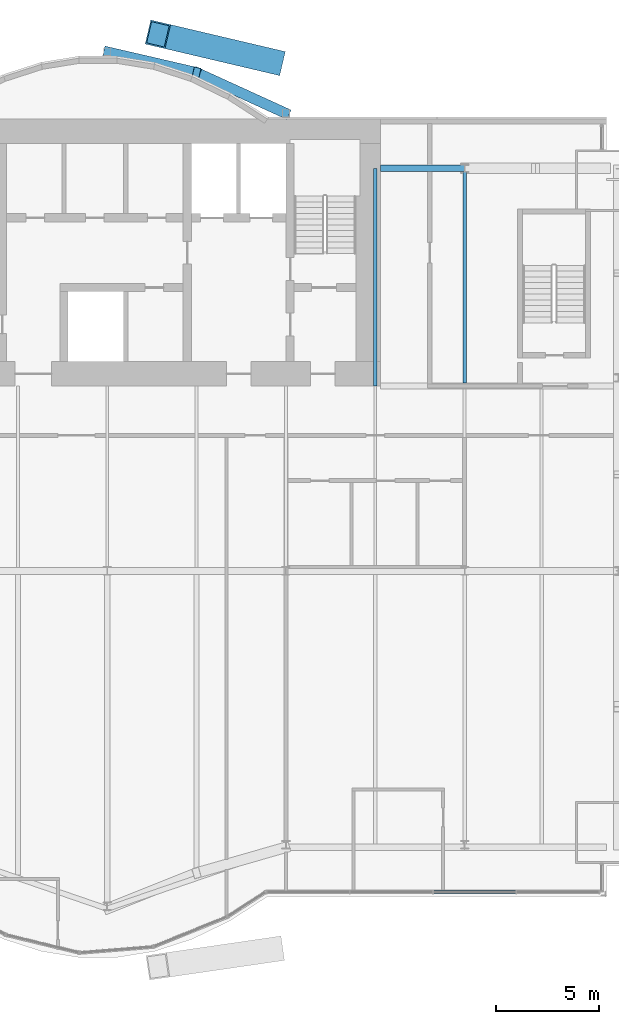
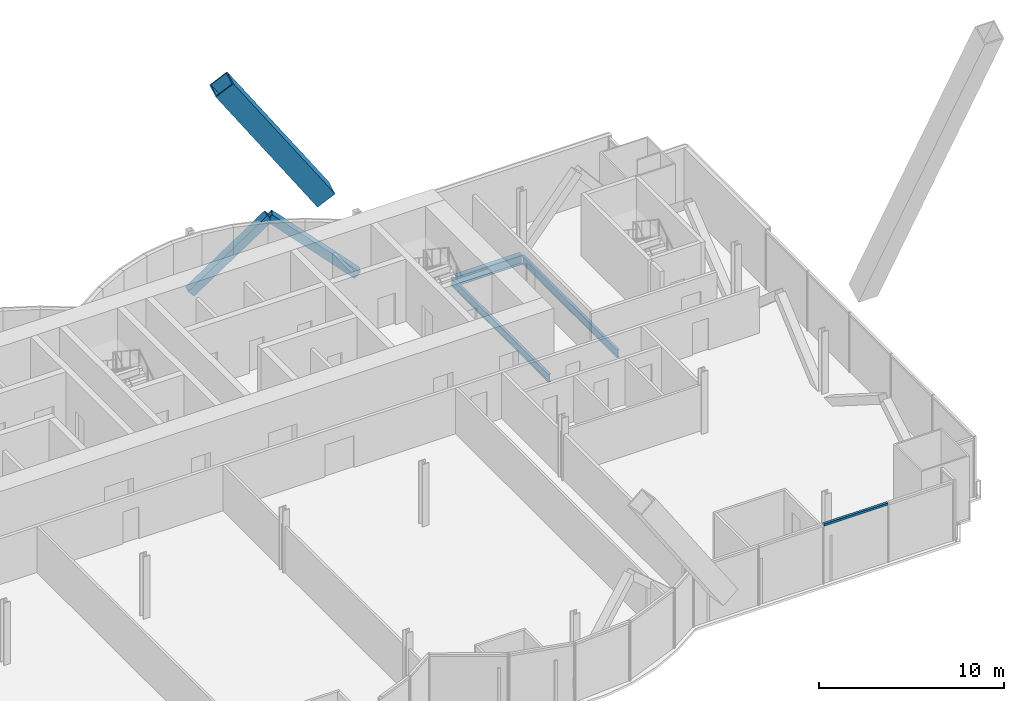
# One storey, part 12 of 23: 4 members, 3 beams, 1 element without a shape of its own.
"""IFC4 building model written with IfcOpenShell, lengths in metres."""

from ifc_helpers import new_model, si_unit, direction, frame, origin, origin_2d, place, context, subcontext, project, spatial, rectangle, hollow_rectangle, i_section, extrude, material, material_profile, profile_set, type_object, element, aggregate, save


model = new_model("IFC4")

# Units and contexts
model_context = context("Model", 3, precision=1e-05, world=origin(), true_north=direction((0.0, 1.0)))
body_context = subcontext(model_context, "Body", "Model", "MODEL_VIEW")
ifc_project = project(units=[si_unit("LENGTHUNIT", "METRE"), si_unit("AREAUNIT", "SQUARE_METRE"), si_unit("VOLUMEUNIT", "CUBIC_METRE"), si_unit("PLANEANGLEUNIT", "RADIAN"), si_unit("MASSUNIT", "GRAM", prefix="KILO")], contexts=[model_context])

# Site, building, storey
site_placement = place(None, origin())
site = spatial("IfcSite", under=ifc_project, at=site_placement, CompositionType="ELEMENT")
building_placement = place(site_placement, origin())
building = spatial("IfcBuilding", under=site, at=building_placement, Name="Bicima Exchange Tower", CompositionType="ELEMENT")
storey_placement = place(building_placement, frame((0.0, 0.0, 110.39990234375)))
storey = spatial("IfcBuildingStorey", under=building, at=storey_placement, Name="L23", CompositionType="ELEMENT", Elevation=110.39990234375)

# Member
ifc_material_1 = material(Name="Steel ASTM A572 Gr 50", Category="steel")
ifc_material_profile_1 = material_profile(ifc_material_1, hollow_rectangle(XDim=1.199951171875, YDim=1.199951171875, WallThickness=0.070068359375, at=origin_2d()))
ifc_profile_set_1 = profile_set([ifc_material_profile_1], Name="Steel ASTM A572 Gr 50")
member_type_1 = type_object("IfcMemberType", Name="Exo mega brace BOX 1200x1200x70", PredefinedType="BRACE", material=ifc_profile_set_1)
member_1_placement = place(storey_placement, frame((16.75, 2.8125, 3.85009765625), z_axis=(-0.54817644634, 0.128864251848, 0.826375573377), x_axis=(-0.228840031766, -0.973464041381, 0.0)))
element("IfcMember", 1, at=member_1_placement, inside=storey, type_object=member_type_1, Name="Exo mega brace rear", PredefinedType="BRACE", context=body_context, shape_type="SweptSolid", body=[
    extrude(hollow_rectangle(XDim=1.199951171875, YDim=1.199951171875, WallThickness=0.070068359375, at=origin_2d()), origin(), (0.0, 0.0, 1.0), 10.18505859375),
])

# Beams
ifc_material_2 = material(Name="Steel ASTM A992 Gr 50", Category="steel")
ifc_material_profile_2 = material_profile(ifc_material_2, i_section(OverallWidth=0.165771484375, OverallDepth=0.5283203125, WebThickness=0.009765625, FlangeThickness=0.013671875, at=origin_2d()))
ifc_profile_set_2 = profile_set([ifc_material_profile_2], Name="Steel ASTM A992 Gr 50")
beam_type_1 = type_object("IfcBeamType", Name="Floor beam W21x50", PredefinedType="JOIST", material=ifc_profile_set_2)
beam_1_placement = place(storey_placement, frame((21.75, -2.39990234375, -0.4140625), z_axis=(0.0, -1.0, 0.0), x_axis=(1.0, 0.0, 0.0)))
element("IfcBeam", 2, at=beam_1_placement, inside=storey, type_object=beam_type_1, Name="Floor beam", PredefinedType="JOIST", context=body_context, shape_type="SweptSolid", body=[
    extrude(i_section(OverallWidth=0.165771484375, OverallDepth=0.5283203125, WebThickness=0.009765625, FlangeThickness=0.013671875, at=origin_2d()), origin(), (0.0, 0.0, 1.0), 10.60009765625),
])
beam_2_placement = place(storey_placement, frame((26.10009765625, -2.5625, -0.4140625), z_axis=(0.0, -1.0, 0.0), x_axis=(1.0, 0.0, 0.0)))
element("IfcBeam", 3, at=beam_2_placement, inside=storey, type_object=beam_type_1, Name="Floor beam", PredefinedType="JOIST", context=body_context, shape_type="SweptSolid", body=[
    extrude(i_section(OverallWidth=0.165771484375, OverallDepth=0.5283203125, WebThickness=0.009765625, FlangeThickness=0.013671875, at=origin_2d()), origin(), (0.0, 0.0, 1.0), 10.28515625),
])

# Curtain wall, member
ifc_material_3 = material(Name="Anodised bronze aluminium", Category="aluminium")
curtain_wall_type = type_object("IfcCurtainWallType", Name="Front glass wall", PredefinedType="NOTDEFINED", material=ifc_material_3)
curtain_wall_placement = place(storey_placement, origin())
curtain_wall = element("IfcCurtainWall", 4, at=curtain_wall_placement, inside=storey, type_object=curtain_wall_type, Name="Front glass wall L23 run 16", PredefinedType="NOTDEFINED")
ifc_material_profile_3 = material_profile(ifc_material_3, rectangle(XDim=0.159912109375, YDim=0.139892578125, at=origin_2d()))
ifc_profile_set_3 = profile_set([ifc_material_profile_3], Name="Anodised bronze aluminium")
member_type_2 = type_object("IfcMemberType", Name="Front glass wall transom 140 x 160", PredefinedType="USERDEFINED", material=ifc_profile_set_3)
member_2_placement = place(storey_placement, frame((24.591064453125, -37.6220703125, 3.880126953125), z_axis=(1.0, 0.0, 0.0), x_axis=(0.0, 1.0, 0.0)))
member_2 = element("IfcMember", 5, at=member_2_placement, type_object=member_type_2, Name="Front glass wall transom 3.1", ObjectType="TRANSOM", PredefinedType="USERDEFINED", context=body_context, shape_type="SweptSolid", body=[
    extrude(rectangle(XDim=0.159912109375, YDim=0.139892578125, at=origin_2d()), origin(), (0.0, 0.0, 1.0), 3.989501953125),
])
aggregate(curtain_wall, [member_2])

# Members
ifc_material_profile_4 = material_profile(ifc_material_1, hollow_rectangle(XDim=0.508056640625, YDim=0.508056640625, WallThickness=0.0146484375, at=origin_2d()))
ifc_profile_set_4 = profile_set([ifc_material_profile_4], Name="Steel ASTM A572 Gr 50")
member_type_3 = type_object("IfcMemberType", Name="Mega brace HSS20x20x5/8", PredefinedType="BRACE", material=ifc_profile_set_4)
member_3_placement = place(storey_placement, frame((8.699951171875, 3.26904296875, 0.0), z_axis=(0.717605620354, -0.166050509188, 0.676364843878), x_axis=(0.225438503722, 0.974257399787, 0.0)))
element("IfcMember", 6, at=member_3_placement, inside=storey, type_object=member_type_3, Name="Mega brace rexo", PredefinedType="BRACE", context=body_context, shape_type="SweptSolid", body=[
    extrude(hollow_rectangle(XDim=0.508056640625, YDim=0.508056640625, WallThickness=0.0146484375, at=origin_2d()), origin(), (0.0, 0.0, 1.0), 6.06201171875),
])
member_4_placement = place(storey_placement, frame((17.39990234375, 0.278076171875, 0.0), z_axis=(-0.690628963585, 0.315060460011, 0.650975069565), x_axis=(-0.415045223819, -0.909800781592, 0.0)))
element("IfcMember", 7, at=member_4_placement, inside=storey, type_object=member_type_3, Name="Mega brace rexo", PredefinedType="BRACE", context=body_context, shape_type="SweptSolid", body=[
    extrude(hollow_rectangle(XDim=0.508056640625, YDim=0.508056640625, WallThickness=0.0146484375, at=origin_2d()), origin(), (0.0, 0.0, 1.0), 6.29833984375),
])

# Beam
ifc_material_profile_5 = material_profile(ifc_material_2, i_section(OverallWidth=0.3251953125, OverallDepth=0.612060546875, WebThickness=0.0126953125, FlangeThickness=0.01904296875, at=origin_2d()))
ifc_profile_set_5 = profile_set([ifc_material_profile_5], Name="Steel ASTM A992 Gr 50")
beam_type_2 = type_object("IfcBeamType", Name="Rear girder W24x104", PredefinedType="BEAM", material=ifc_profile_set_5)
beam_3_placement = place(storey_placement, frame((22.0, -2.39990234375, -0.4560546875), z_axis=(1.0, 0.0, 0.0), x_axis=(0.0, 1.0, 0.0)))
element("IfcBeam", 8, at=beam_3_placement, inside=storey, type_object=beam_type_2, Name="Rear girder", PredefinedType="BEAM", context=body_context, shape_type="SweptSolid", body=[
    extrude(i_section(OverallWidth=0.3251953125, OverallDepth=0.612060546875, WebThickness=0.0126953125, FlangeThickness=0.01904296875, at=origin_2d()), origin(), (0.0, 0.0, 1.0), 4.10009765625),
])

save(model, "model.ifc")
